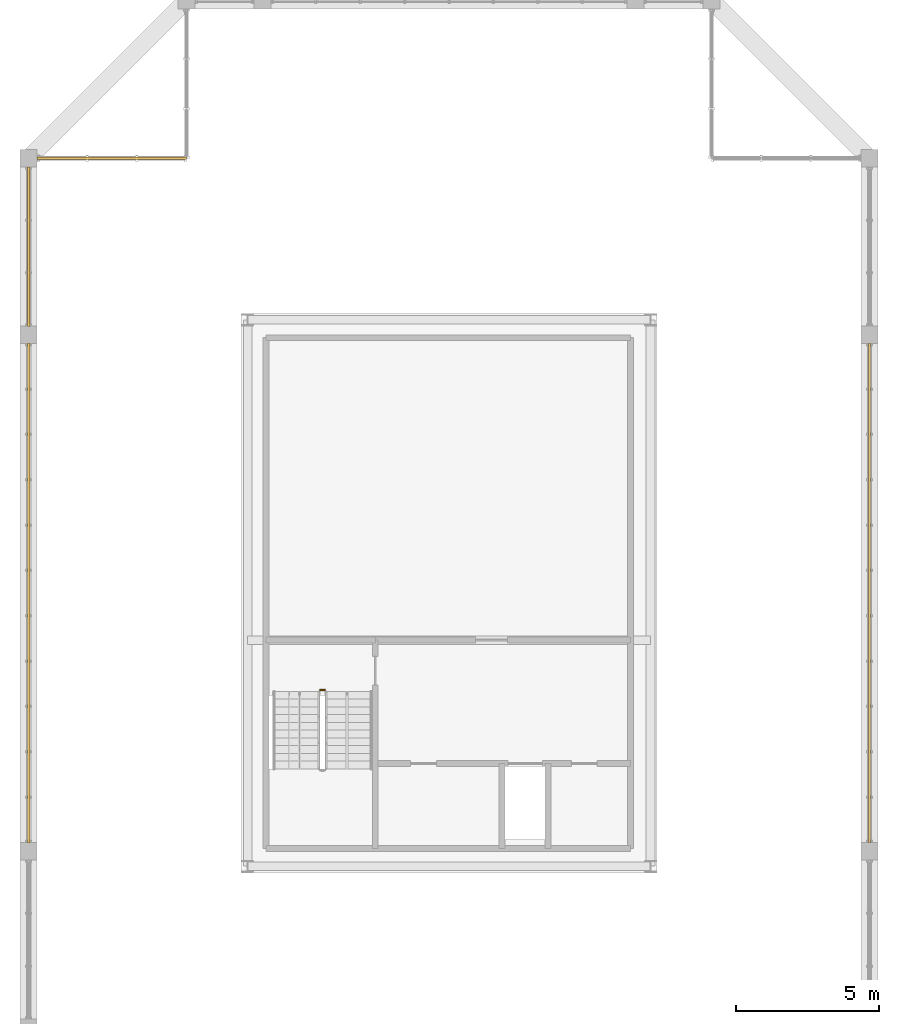
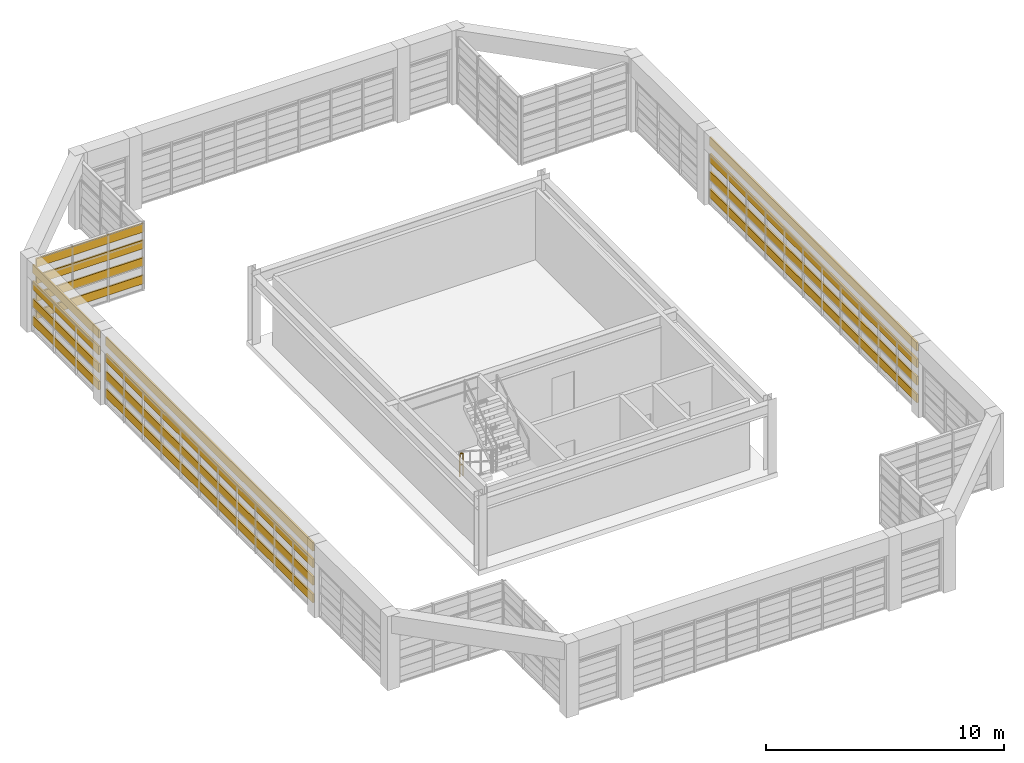
# One storey, part 26 of 27: 16 shading devices, 1 railing.
"""IFC4 building model written with IfcOpenShell, lengths in metres."""

from ifc_helpers import new_model, si_unit, direction, frame, origin, origin_2d, place, context, subcontext, project, spatial, rectangle, extrude, source, transform, mapped, material, material_profile, profile_set, type_object, element, save


model = new_model("IFC4")

# Units and contexts
model_context = context("Model", 3, precision=1e-05, world=origin(), true_north=direction((0.0, 1.0)))
body_context = subcontext(model_context, "Body", "Model", "MODEL_VIEW")
ifc_project = project(units=[si_unit("LENGTHUNIT", "METRE"), si_unit("AREAUNIT", "SQUARE_METRE"), si_unit("VOLUMEUNIT", "CUBIC_METRE"), si_unit("PLANEANGLEUNIT", "RADIAN"), si_unit("MASSUNIT", "GRAM", prefix="KILO")], contexts=[model_context])

# Site, building, storey
site_placement = place(None, origin())
site = spatial("IfcSite", under=ifc_project, at=site_placement, CompositionType="ELEMENT")
building_placement = place(site_placement, origin())
building = spatial("IfcBuilding", under=site, at=building_placement, Name="Saelheon Loggia Tower", CompositionType="ELEMENT")
storey_placement = place(building_placement, frame((0.0, 0.0, 256.0)))
storey = spatial("IfcBuildingStorey", under=building, at=storey_placement, Name="CR2", CompositionType="ELEMENT", Elevation=256.0)

# Railing
ifc_material_1 = material(Name="Galvanised Steel S275 Stairwell Guardrail", Category="steel")
railing_type = type_object("IfcRailingType", Name="Guard_StairWell_RL_STG", PredefinedType="GUARDRAIL", material=ifc_material_1)
railing_placement = place(storey_placement, frame((33.510009765625, 23.6201171875, 0.0)))
element("IfcRailing", 1, at=railing_placement, inside=storey, type_object=railing_type, Name="CR2 ST5 stair guard 4", PredefinedType="GUARDRAIL", context=body_context, shape_type="SweptSolid", body=[
    extrude(rectangle(XDim=0.048095703125, YDim=0.048095703125, at=origin_2d()), frame((0.033203125, 0.0, 1.17578125), z_axis=(1.0, 0.0, 0.0), x_axis=(0.0, 1.0, 0.0)), (0.0, 0.0, 1.0), 0.093505859375),
    extrude(rectangle(XDim=0.048095703125, YDim=0.048095703125, at=origin_2d()), frame((0.033203125, 0.0, 0.60009765625), z_axis=(1.0, 0.0, 0.0), x_axis=(0.0, 1.0, 0.0)), (0.0, 0.0, 1.0), 0.093505859375),
    extrude(rectangle(XDim=0.0419921875, YDim=0.0419921875, at=origin_2d()), origin(), (0.0, 0.0, 1.0), 1.14794921875),
    extrude(rectangle(XDim=0.0419921875, YDim=0.0419921875, at=origin_2d()), frame((0.159912109375, 0.0, 0.0)), (0.0, 0.0, 1.0), 1.14794921875),
])

# Shading devices
ifc_material_2 = material(Name="Bronze-Anodised Aluminium 6063-T6", Category="aluminium")
ifc_material_profile = material_profile(ifc_material_2, rectangle(XDim=0.080078125, YDim=0.43994140625, at=origin_2d()), Name="Louvre_CrownBlade_250")
ifc_profile_set = profile_set([ifc_material_profile], Name="Bronze-Anodised Aluminium 6063-T6")
shading_device_type = type_object("IfcShadingDeviceType", Name="Louvre_CrownBlade_250", PredefinedType="AWNING", material=ifc_profile_set)
shared_shape_1 = source(origin(), body_context, "Body", "SweptSolid", [
    extrude(rectangle(XDim=0.080078125, YDim=0.43994140625, at=origin_2d()), origin(), (0.0, 0.0, 1.0), 5.205078125),
])
for number, where, z_axis, x_axis, name in (
    (2, (28.85009765625, 42.14990234375, 0.550048828125), (-1.0, 0.0, 0.0), (0.0, -1.0, 0.0), "CR2 Crown Screen Horizontal Blade"),
    (3, (28.85009765625, 42.14990234375, 1.449951171875), (-1.0, 0.0, 0.0), (0.0, -1.0, 0.0), "CR2 Crown Screen Horizontal Blade"),
    (4, (28.85009765625, 42.14990234375, 2.35009765625), (-1.0, 0.0, 0.0), (0.0, -1.0, 0.0), "CR2 Crown Screen Horizontal Blade"),
    (5, (28.85009765625, 42.14990234375, 3.199951171875), (-1.0, 0.0, 0.0), (0.0, -1.0, 0.0), "CR2 Crown Screen Horizontal Blade"),
):
    element("IfcShadingDevice", number, at=place(storey_placement, frame(where, z_axis=z_axis, x_axis=x_axis)), inside=storey, type_object=shading_device_type, Name=name, PredefinedType="AWNING", context=body_context, shape_type="MappedRepresentation", body=[
        mapped(shared_shape_1, transform((0.0, 0.0, 0.0), scale=1.0)),
    ])
shared_shape_2 = source(origin(), body_context, "Body", "SweptSolid", [
    extrude(rectangle(XDim=0.080078125, YDim=0.43994140625, at=origin_2d()), origin(), (0.0, 0.0, 1.0), 5.56005859375),
])
for number, where, z_axis, x_axis, name in (
    (6, (23.35009765625, 41.85498046875, 0.550048828125), (0.0, -1.0, 0.0), (1.0, 0.0, 0.0), "CR2 Crown Screen Horizontal Blade"),
    (7, (23.35009765625, 41.85498046875, 1.449951171875), (0.0, -1.0, 0.0), (1.0, 0.0, 0.0), "CR2 Crown Screen Horizontal Blade"),
    (8, (23.35009765625, 41.85498046875, 2.35009765625), (0.0, -1.0, 0.0), (1.0, 0.0, 0.0), "CR2 Crown Screen Horizontal Blade"),
    (9, (23.35009765625, 41.85498046875, 3.199951171875), (0.0, -1.0, 0.0), (1.0, 0.0, 0.0), "CR2 Crown Screen Horizontal Blade"),
):
    element("IfcShadingDevice", number, at=place(storey_placement, frame(where, z_axis=z_axis, x_axis=x_axis)), inside=storey, type_object=shading_device_type, Name=name, PredefinedType="AWNING", context=body_context, shape_type="MappedRepresentation", body=[
        mapped(shared_shape_2, transform((0.0, 0.0, 0.0), scale=1.0)),
    ])
shared_shape_3 = source(origin(), body_context, "Body", "SweptSolid", [
    extrude(rectangle(XDim=0.080078125, YDim=0.43994140625, at=origin_2d()), origin(), (0.0, 0.0, 1.0), 17.41015625),
])
for number, where, z_axis, x_axis, name in (
    (10, (52.64990234375, 18.294921875, 0.550048828125), (0.0, 1.0, 0.0), (-1.0, 0.0, 0.0), "CR2 Crown Screen Horizontal Blade"),
    (11, (52.64990234375, 18.294921875, 1.449951171875), (0.0, 1.0, 0.0), (-1.0, 0.0, 0.0), "CR2 Crown Screen Horizontal Blade"),
    (12, (52.64990234375, 18.294921875, 2.35009765625), (0.0, 1.0, 0.0), (-1.0, 0.0, 0.0), "CR2 Crown Screen Horizontal Blade"),
    (13, (52.64990234375, 18.294921875, 3.199951171875), (0.0, 1.0, 0.0), (-1.0, 0.0, 0.0), "CR2 Crown Screen Horizontal Blade"),
    (14, (23.35009765625, 35.705078125, 0.550048828125), (0.0, -1.0, 0.0), (1.0, 0.0, 0.0), "CR2 Crown Screen Horizontal Blade"),
    (15, (23.35009765625, 35.705078125, 1.449951171875), (0.0, -1.0, 0.0), (1.0, 0.0, 0.0), "CR2 Crown Screen Horizontal Blade"),
    (16, (23.35009765625, 35.705078125, 2.35009765625), (0.0, -1.0, 0.0), (1.0, 0.0, 0.0), "CR2 Crown Screen Horizontal Blade"),
    (17, (23.35009765625, 35.705078125, 3.199951171875), (0.0, -1.0, 0.0), (1.0, 0.0, 0.0), "CR2 Crown Screen Horizontal Blade"),
):
    element("IfcShadingDevice", number, at=place(storey_placement, frame(where, z_axis=z_axis, x_axis=x_axis)), inside=storey, type_object=shading_device_type, Name=name, PredefinedType="AWNING", context=body_context, shape_type="MappedRepresentation", body=[
        mapped(shared_shape_3, transform((0.0, 0.0, 0.0), scale=1.0)),
    ])

save(model, "model.ifc")
